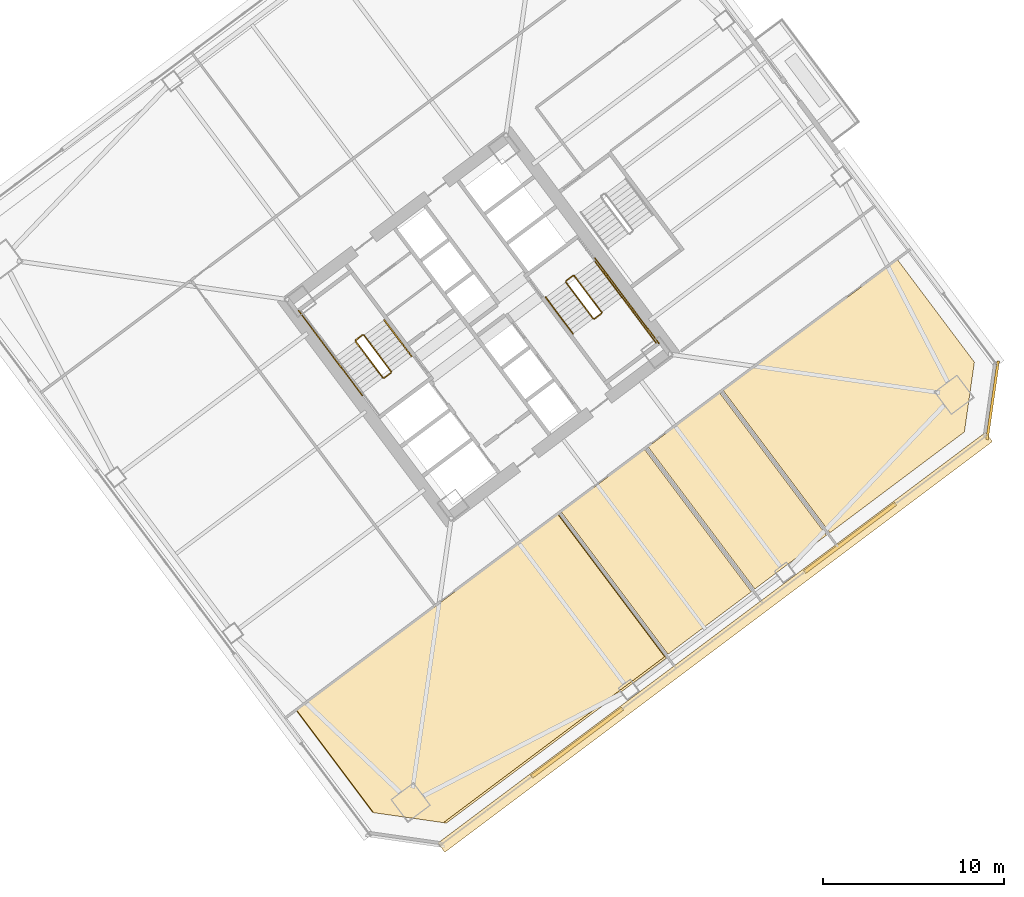
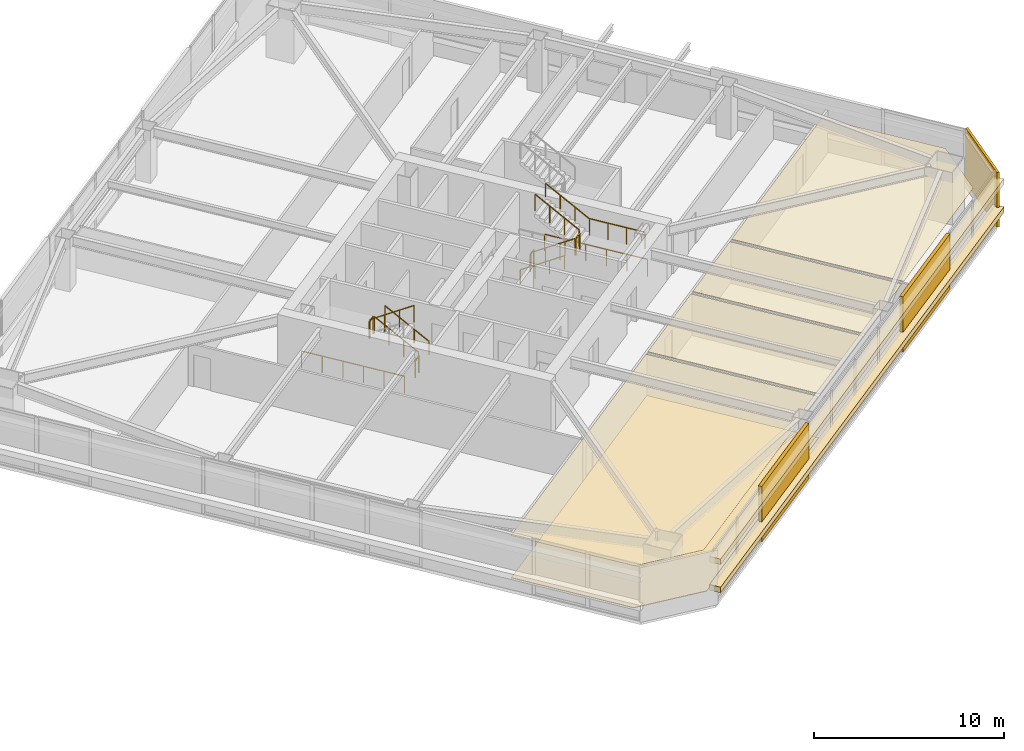
# One storey, part 45 of 47: 14 railings, 10 coverings.
"""IFC4 building model written with IfcOpenShell, lengths in metres."""

import ifcopenshell
import ifcopenshell.guid

model = None  # the IFC model being written
_history = None  # IfcOwnerHistory: only IFC2X3 demands one
_inside = {}  # id of a spatial element -> (the spatial element, [elements in it])
_under = {}  # id of a project, library or spatial element -> (it, [spatial elements below it])
_declared = {}  # id of a project -> (the project, [libraries it declares])
_typed = {}  # id of a type object -> (the type object, [elements of that type])
_made_of = {}  # id of a material, layer set ... -> (it, [elements and type objects made of it])


def new_model(schema):
    """Start an empty IFC model of exactly this schema.

    Asked for "IFC4X3", IfcOpenShell would pick the latest addendum, in which some entities
    have other attributes; the version numbers below select the first issue.
    IFC2X3 requires an IfcOwnerHistory on every rooted entity: one is made here for all.
    """
    global model, _history
    if schema == "IFC4X3":
        model = ifcopenshell.file(schema_version=(4, 3, 0, 0))
    else:
        model = ifcopenshell.file(schema=schema)
    _inside.clear()
    _under.clear()
    _declared.clear()
    _typed.clear()
    _made_of.clear()
    _history = None
    if model.schema == "IFC2X3":
        org = make("IfcOrganization", Name="unknown")
        user = make(
            "IfcPersonAndOrganization",
            ThePerson=make("IfcPerson", FamilyName="unknown"),
            TheOrganization=org,
        )
        app = make(
            "IfcApplication",
            ApplicationDeveloper=org,
            Version="unknown",
            ApplicationFullName="unknown",
            ApplicationIdentifier="unknown",
        )
        _history = make(
            "IfcOwnerHistory",
            OwningUser=user,
            OwningApplication=app,
            ChangeAction="ADDED",
            CreationDate=0,
        )
    return model


def make(cls, **values):
    """One entity of the class cls with the attributes given. An attribute that is None is left unset."""
    return model.create_entity(
        cls, **{name: value for name, value in values.items() if value is not None}
    )


def rooted(cls, **values):
    """An entity with a GlobalId (a new one), such as an element, a storey or a relation."""
    return make(cls, GlobalId=ifcopenshell.guid.new(), OwnerHistory=_history, **values)


def si_unit(unit_type, name, prefix=None):
    """IfcSIUnit, for example si_unit("LENGTHUNIT", "METRE", prefix="MILLI")."""
    return make("IfcSIUnit", UnitType=unit_type, Prefix=prefix, Name=name)


def assignment(units):
    """IfcUnitAssignment: the units of a project."""
    return None if units is None else make("IfcUnitAssignment", Units=units)


def point(xyz):
    """IfcCartesianPoint."""
    return None if xyz is None else make("IfcCartesianPoint", Coordinates=xyz)


def direction(xyz):
    """IfcDirection."""
    return None if xyz is None else make("IfcDirection", DirectionRatios=xyz)


def frame(location, z_axis=None, x_axis=None):
    """IfcAxis2Placement3D, a coordinate frame: its origin and axes. An axis left out is left unset."""
    return make(
        "IfcAxis2Placement3D",
        Location=point(location),
        Axis=direction(z_axis),
        RefDirection=direction(x_axis),
    )


def frame_2d(location, x_axis=None):
    """IfcAxis2Placement2D, a coordinate frame in the plane: its origin and x axis."""
    return make(
        "IfcAxis2Placement2D", Location=point(location), RefDirection=direction(x_axis)
    )


def origin():
    """The frame at (0, 0, 0) with its axes left unset."""
    return frame((0.0, 0.0, 0.0))


def origin_2d():
    """The frame at (0, 0) in the plane with its x axis left unset."""
    return frame_2d((0.0, 0.0))


def place(relative_to, where):
    """IfcLocalPlacement: puts the frame where relative to a parent placement (None: the world)."""
    return make(
        "IfcLocalPlacement", PlacementRelTo=relative_to, RelativePlacement=where
    )


def context(
    kind, dimensions, precision=None, world=None, true_north=None, identifier=None
):
    """IfcGeometricRepresentationContext, for example the 3D "Model" context."""
    return make(
        "IfcGeometricRepresentationContext",
        ContextIdentifier=identifier,
        ContextType=kind,
        CoordinateSpaceDimension=dimensions,
        Precision=precision,
        WorldCoordinateSystem=world,
        TrueNorth=true_north,
    )


def subcontext(parent, identifier, kind, view, scale=None):
    """IfcGeometricRepresentationSubContext, for example "Body" below "Model"."""
    return make(
        "IfcGeometricRepresentationSubContext",
        ContextIdentifier=identifier,
        ContextType=kind,
        ParentContext=parent,
        TargetScale=scale,
        TargetView=view,
    )


def project(units=None, contexts=None):
    """IfcProject with its units and contexts."""
    return rooted(
        "IfcProject",
        Name="project",
        RepresentationContexts=contexts,
        UnitsInContext=assignment(units),
    )


def spatial(cls, under=None, at=None, **own):
    """A site, building, storey or space (cls), placed at a placement, below another one or the project."""
    s = rooted(cls, ObjectPlacement=at, **own)
    if under is not None:
        _under.setdefault(under.id(), (under, []))[1].append(s)
    return s


def polyline(points):
    """IfcPolyline through the points."""
    return make("IfcPolyline", Points=[point(p) for p in points])


def profile(cls, at=None, kind="AREA", **sizes):
    """A parametric profile (cls). Its sizes go by their IFC names, for example OverallWidth=200.0."""
    return make(cls, ProfileType=kind, Position=at, **sizes)


def rectangle(**sizes):
    """IfcRectangleProfileDef."""
    return profile("IfcRectangleProfileDef", **sizes)


def outline(outer, holes=None, kind="AREA"):
    """IfcArbitraryClosedProfileDef: a profile drawn as a closed curve; with holes, ...WithVoids."""
    if holes is None:
        return make("IfcArbitraryClosedProfileDef", ProfileType=kind, OuterCurve=outer)
    return make(
        "IfcArbitraryProfileDefWithVoids",
        ProfileType=kind,
        OuterCurve=outer,
        InnerCurves=holes,
    )


def extrude(swept, where, along, depth):
    """IfcExtrudedAreaSolid: the profile swept, set in the frame where, extruded along a direction by depth."""
    return make(
        "IfcExtrudedAreaSolid",
        SweptArea=swept,
        Position=where,
        ExtrudedDirection=direction(along),
        Depth=depth,
    )


def shape(context_of_items, identifier, shape_type, items):
    """IfcShapeRepresentation: the items that make up one representation, for example the "Body"."""
    return make(
        "IfcShapeRepresentation",
        ContextOfItems=context_of_items,
        RepresentationIdentifier=identifier,
        RepresentationType=shape_type,
        Items=items,
    )


def material(Name=None, Category=None):
    """IfcMaterial."""
    return make("IfcMaterial", Name=Name, Category=Category)


def layer(
    of_material, thickness, ventilated=None, Name=None, Category=None, Priority=None
):
    """IfcMaterialLayer: one layer of a wall or slab, of a material (None: an air gap)."""
    return make(
        "IfcMaterialLayer",
        Material=of_material,
        LayerThickness=thickness,
        IsVentilated=ventilated,
        Name=Name,
        Category=Category,
        Priority=Priority,
    )


def layer_set(layers, Name=None):
    """IfcMaterialLayerSet."""
    return make("IfcMaterialLayerSet", MaterialLayers=layers, LayerSetName=Name)


def made_of(thing, what):
    """Note that an element or type object is made of a material, layer set ...; save() writes the relation."""
    if what is not None:
        _made_of.setdefault(what.id(), (what, []))[1].append(thing)
    return thing


def type_object(cls, material=None, **own):
    """A type object (cls), such as IfcWallType, which elements share."""
    return made_of(rooted(cls, **own), material)


def element(
    cls,
    number,
    at=None,
    inside=None,
    cuts=None,
    type_object=None,
    material=None,
    context=None,
    identifier="Body",
    shape_type=None,
    held_by="IfcProductDefinitionShape",
    body=None,
    shapes=None,
    **own,
):
    """One element of the class cls, such as IfcWall. Its Tag is "e" and its number.

    at: its placement. inside: the storey or other place that contains it. cuts: it is an
    opening in that element (IfcRelVoidsElement). A single representation is given by context,
    identifier, shape_type and body (its items); several are given by shapes. held_by: the class
    of the entity that holds the representations. save() writes the other relations.
    """
    e = rooted(cls, Tag="e%d" % number, ObjectPlacement=at, **own)
    if body is not None:
        shapes = [shape(context, identifier, shape_type, body)]
    if shapes is not None:
        e.Representation = make(held_by, Representations=shapes)
    if inside is not None:
        _inside.setdefault(inside.id(), (inside, []))[1].append(e)
    if cuts is not None:
        rooted(
            "IfcRelVoidsElement", RelatingBuildingElement=cuts, RelatedOpeningElement=e
        )
    if type_object is not None:
        _typed.setdefault(type_object.id(), (type_object, []))[1].append(e)
    return made_of(e, material)


def aggregate(whole, parts):
    """IfcRelAggregates: a whole, such as a stair, and the parts it consists of."""
    return rooted("IfcRelAggregates", RelatingObject=whole, RelatedObjects=parts)


def save(model, path):
    """Write the relations noted so far, then the file.

    IfcRelAggregates (storeys below a building ...), IfcRelContainedInSpatialStructure (elements
    in a storey), IfcRelDefinesByType, IfcRelAssociatesMaterial and IfcRelDeclares: one each for
    every whole, place, type object, material and project.
    """
    for whole, parts in _under.values():
        aggregate(whole, parts)
    for where, things in _inside.values():
        rooted(
            "IfcRelContainedInSpatialStructure",
            RelatedElements=things,
            RelatingStructure=where,
        )
    for kind, things in _typed.values():
        rooted("IfcRelDefinesByType", RelatedObjects=things, RelatingType=kind)
    for what, things in _made_of.values():
        rooted("IfcRelAssociatesMaterial", RelatedObjects=things, RelatingMaterial=what)
    for by, libraries in _declared.values():
        rooted("IfcRelDeclares", RelatingContext=by, RelatedDefinitions=libraries)
    model.write(path)


model = new_model("IFC4")

# Units and contexts
model_context = context("Model", 3, precision=1e-05, world=origin(), true_north=direction((0.0, 1.0)))
body_context = subcontext(model_context, "Body", "Model", "MODEL_VIEW")
ifc_project = project(units=[si_unit("LENGTHUNIT", "METRE"), si_unit("AREAUNIT", "SQUARE_METRE"), si_unit("VOLUMEUNIT", "CUBIC_METRE"), si_unit("PLANEANGLEUNIT", "RADIAN"), si_unit("MASSUNIT", "GRAM", prefix="KILO")], contexts=[model_context])

# Site, building, storey
site_placement = place(None, origin())
site = spatial("IfcSite", under=ifc_project, at=site_placement, CompositionType="ELEMENT")
building_placement = place(site_placement, origin())
building = spatial("IfcBuilding", under=site, at=building_placement, Name="Tashvorn Skyway Center", CompositionType="ELEMENT")
storey_placement = place(building_placement, frame((0.0, 0.0, 42.35009765625)))
storey = spatial("IfcBuildingStorey", under=building, at=storey_placement, Name="L10", CompositionType="ELEMENT", Elevation=42.35009765625)

# Coverings
ifc_material_1 = material(Name="Precast concrete C40/50", Category="concrete")
ifc_layer_1 = layer(ifc_material_1, 0.199951171875)
ifc_layer_set_1 = layer_set([ifc_layer_1], Name="Precast concrete C40/50")
covering_type_1 = type_object("IfcCoveringType", Name="COV-BRACE-CLAD", PredefinedType="CLADDING", material=ifc_layer_set_1)
for number, where, z_axis, x_axis, name in (
    (1, (134.56005859375, 20.320068359375, 0.0), (0.0, 0.0, 1.0), (-0.799999996291, -0.600000004945, 0.0), "Tower 2 L10 South Unitised Curtain Wall Mega-Brace Cladding Band 1"),
    (2, (119.4560546875, 8.991943359375, 0.0), (0.0, 0.0, 1.0), (-0.799999996291, -0.600000004945, 0.0), "Tower 2 L10 South Unitised Curtain Wall Mega-Brace Cladding Band 2"),
):
    element("IfcCovering", number, at=place(storey_placement, frame(where, z_axis=z_axis, x_axis=x_axis)), inside=storey, type_object=covering_type_1, Name=name, PredefinedType="CLADDING", context=body_context, shape_type="SweptSolid", body=[
        extrude(rectangle(XDim=6.293212890625, YDim=0.199951171875, at=origin_2d()), origin(), (0.0, 0.0, 1.0), 3.550048828125),
    ])
ifc_material_2 = material(Name="Mineral-fibre acoustic ceiling tile on suspended grid")
ifc_layer_2 = layer(ifc_material_2, 0.02001953125)
ifc_layer_set_2 = layer_set([ifc_layer_2], Name="Mineral-fibre acoustic ceiling tile on suspended grid")
covering_type_2 = type_object("IfcCoveringType", Name="COV-CEIL-20", PredefinedType="CEILING", material=ifc_layer_set_2)
covering_1_placement = place(storey_placement, frame((0.0, 0.0, 2.682861328125)))
element("IfcCovering", 3, at=covering_1_placement, inside=storey, type_object=covering_type_2, Name="Tower 2 L10 Executive Study Lounge Acoustic Ceiling", PredefinedType="CEILING", context=body_context, shape_type="SweptSolid", body=[
    extrude(outline(polyline([(103.93994140625, 10.780029296875), (118.387939453125, 21.615966796875), (124.2919921875, 13.743896484375), (112.052001953125, 4.56396484375), (108.18798828125, 5.115966796875), (103.93994140625, 10.780029296875)])), origin(), (0.0, 0.0, 1.0), 0.02001953125),
])
covering_2_placement = place(storey_placement, frame((0.0, 0.0, 2.682861328125)))
element("IfcCovering", 4, at=covering_2_placement, inside=storey, type_object=covering_type_2, Name="Tower 2 L10 Collaborative Studio Acoustic Ceiling", PredefinedType="CEILING", context=body_context, shape_type="SweptSolid", body=[
    extrude(outline(polyline([(118.580078125, 21.760009765625), (123.18798828125, 25.216064453125), (129.092041015625, 17.343994140625), (124.48388671875, 13.887939453125), (118.580078125, 21.760009765625)])), origin(), (0.0, 0.0, 1.0), 0.02001953125),
])
covering_3_placement = place(storey_placement, frame((0.0, 0.0, 2.682861328125)))
element("IfcCovering", 5, at=covering_3_placement, inside=storey, type_object=covering_type_2, Name="Tower 2 L10 Collaborative Studio Acoustic Ceiling", PredefinedType="CEILING", context=body_context, shape_type="SweptSolid", body=[
    extrude(outline(polyline([(123.3798828125, 25.360107421875), (127.347900390625, 28.3359375), (133.251953125, 20.464111328125), (129.283935546875, 17.488037109375), (123.3798828125, 25.360107421875)])), origin(), (0.0, 0.0, 1.0), 0.02001953125),
])
covering_4_placement = place(storey_placement, frame((0.0, 0.0, 2.682861328125)))
element("IfcCovering", 6, at=covering_4_placement, inside=storey, type_object=covering_type_2, Name="Tower 2 L10 Reading Lounge Acoustic Ceiling", PredefinedType="CEILING", context=body_context, shape_type="SweptSolid", body=[
    extrude(outline(polyline([(133.444091796875, 20.60791015625), (127.5400390625, 28.47998046875), (137.18798828125, 35.716064453125), (141.43603515625, 30.052001953125), (140.884033203125, 26.18798828125), (133.444091796875, 20.60791015625)])), origin(), (0.0, 0.0, 1.0), 0.02001953125),
])
ifc_material_3 = material(Name="Polished Mojave desert-aggregate terrazzo and cover plate")
ifc_layer_3 = layer(ifc_material_3, 0.0400390625)
ifc_layer_set_3 = layer_set([ifc_layer_3], Name="Polished Mojave desert-aggregate terrazzo and cover plate")
covering_type_3 = type_object("IfcCoveringType", Name="COV-FLR-40", PredefinedType="FLOORING", material=ifc_layer_set_3)
covering_5_placement = place(storey_placement, origin())
element("IfcCovering", 7, at=covering_5_placement, inside=storey, type_object=covering_type_3, Name="Tower 2 L10 Executive Study Lounge Finish Flooring", PredefinedType="FLOORING", context=body_context, shape_type="SweptSolid", body=[
    extrude(outline(polyline([(112.219970703125, 4.5400390625), (108.132080078125, 5.1240234375), (103.931884765625, 10.72412109375), (118.444091796875, 21.60791015625), (124.39599609375, 13.672119140625), (112.219970703125, 4.5400390625)])), origin(), (0.0, 0.0, 1.0), 0.039794921875),
])
ifc_material_4 = material(Name="Perforated ceramic-coated bronze aluminium solar screen", Category="aluminium")
ifc_layer_4 = layer(ifc_material_4, 0.85009765625)
ifc_layer_set_4 = layer_set([ifc_layer_4], Name="Perforated ceramic-coated bronze aluminium solar screen")
covering_type_4 = type_object("IfcCoveringType", Name="COV-SOLAR-BAND", PredefinedType="CLADDING", material=ifc_layer_set_4)
for number, where, z_axis, x_axis, name in (
    (8, (127.092041015625, 14.5439453125, 0.919921875), (0.0, 0.0, 1.0), (-0.799999996291, -0.600000004945, 0.0), "L10 Perforated Ceramic-Metal Solar Screen Louvre Band South 1"),
    (9, (127.092041015625, 14.5439453125, 2.7197265625), (0.0, 0.0, 1.0), (-0.799999996291, -0.600000004945, 0.0), "L10 Perforated Ceramic-Metal Solar Screen Louvre Band South 2"),
):
    element("IfcCovering", number, at=place(storey_placement, frame(where, z_axis=z_axis, x_axis=x_axis)), inside=storey, type_object=covering_type_4, Name=name, PredefinedType="CLADDING", context=body_context, shape_type="SweptSolid", body=[
        extrude(rectangle(XDim=37.8798828125, YDim=0.639892578125, at=origin_2d()), origin(), (0.0, 0.0, 1.0), 0.360107421875),
    ])
ifc_layer_5 = layer(ifc_material_1, 0.35009765625)
ifc_layer_set_5 = layer_set([ifc_layer_5], Name="Precast concrete C40/50")
covering_type_5 = type_object("IfcCoveringType", Name="COV-STONE-TRIM", PredefinedType="CLADDING", material=ifc_layer_set_5)
covering_6_placement = place(storey_placement, frame((142.447998046875, 27.93603515625, 0.02001953125), z_axis=(0.0, 0.0, 1.0), x_axis=(0.141421350118, 0.989949494535, 0.0)))
element("IfcCovering", 10, at=covering_6_placement, inside=storey, type_object=covering_type_5, Name="Tower 2 L10 SE Mojave Limestone Corner Quoin", PredefinedType="CLADDING", context=body_context, shape_type="SweptSolid", body=[
    extrude(rectangle(XDim=4.402587890625, YDim=0.139892578125, at=origin_2d()), origin(), (0.0, 0.0, 1.0), 3.510009765625),
])

# Railings
ifc_material_5 = material(Name="Brushed stainless steel 316", Category="steel")
railing_type_1 = type_object("IfcRailingType", Name="RAIL-HAND-920", PredefinedType="HANDRAIL", material=ifc_material_5)
railing_1_placement = place(storey_placement, frame((110.2880859375, 30.365966796875, 0.177490234375)))
element("IfcRailing", 11, at=railing_1_placement, inside=storey, type_object=railing_type_1, Name="L10 ST-T2-1 stair handrail 1", PredefinedType="HANDRAIL", context=body_context, shape_type="SweptSolid", body=[
    extrude(rectangle(XDim=0.048095703125, YDim=0.048095703125, at=origin_2d()), frame((0.0, 0.0, 0.8759765625), z_axis=(-0.506801609611, 0.675680931896, 0.535357270211), x_axis=(-0.799976749893, -0.600030998891, 0.0)), (0.0, 0.0, 1.0), 2.98388671875),
    extrude(rectangle(XDim=0.0419921875, YDim=0.0419921875, at=origin_2d()), origin(), (0.0, 0.0, 1.0), 0.851806640625),
    extrude(rectangle(XDim=0.0419921875, YDim=0.0419921875, at=origin_2d()), frame((-0.504150390625, 0.672119140625, 0.532470703125)), (0.0, 0.0, 1.0), 0.851806640625),
    extrude(rectangle(XDim=0.0419921875, YDim=0.0419921875, at=origin_2d()), frame((-1.008056640625, 1.343994140625, 1.06494140625)), (0.0, 0.0, 1.0), 0.851806640625),
    extrude(rectangle(XDim=0.0419921875, YDim=0.0419921875, at=origin_2d()), frame((-1.51220703125, 2.01611328125, 1.597412109375)), (0.0, 0.0, 1.0), 0.851806640625),
])
railing_2_placement = place(storey_placement, frame((117.7119140625, 33.634033203125, 0.177490234375)))
element("IfcRailing", 12, at=railing_2_placement, inside=storey, type_object=railing_type_1, Name="L10 ST-T2-2 stair handrail 1", PredefinedType="HANDRAIL", context=body_context, shape_type="SweptSolid", body=[
    extrude(rectangle(XDim=0.048095703125, YDim=0.048095703125, at=origin_2d()), frame((0.0, 0.0, 0.8759765625), z_axis=(0.506801609611, -0.675680931896, 0.535357270211), x_axis=(0.799976749893, 0.600030998891, 0.0)), (0.0, 0.0, 1.0), 2.98388671875),
    extrude(rectangle(XDim=0.0419921875, YDim=0.0419921875, at=origin_2d()), origin(), (0.0, 0.0, 1.0), 0.851806640625),
    extrude(rectangle(XDim=0.0419921875, YDim=0.0419921875, at=origin_2d()), frame((0.504150390625, -0.672119140625, 0.532470703125)), (0.0, 0.0, 1.0), 0.851806640625),
    extrude(rectangle(XDim=0.0419921875, YDim=0.0419921875, at=origin_2d()), frame((1.008056640625, -1.343994140625, 1.06494140625)), (0.0, 0.0, 1.0), 0.851806640625),
    extrude(rectangle(XDim=0.0419921875, YDim=0.0419921875, at=origin_2d()), frame((1.51220703125, -2.01611328125, 1.597412109375)), (0.0, 0.0, 1.0), 0.851806640625),
])
railing_3_placement = place(storey_placement, frame((121.927978515625, 33.64599609375, 1.952392578125)))
element("IfcRailing", 13, at=railing_3_placement, inside=storey, type_object=railing_type_1, Name="L10 ST-T2-2 stair handrail 2", PredefinedType="HANDRAIL", context=body_context, shape_type="SweptSolid", body=[
    extrude(rectangle(XDim=0.048095703125, YDim=0.048095703125, at=origin_2d()), frame((0.0, 0.0, 0.8759765625), z_axis=(-0.506740800098, 0.675708949977, 0.535379469569), x_axis=(-0.800023250257, -0.599968998406, 0.0)), (0.0, 0.0, 1.0), 2.983642578125),
    extrude(rectangle(XDim=0.0419921875, YDim=0.0419921875, at=origin_2d()), origin(), (0.0, 0.0, 1.0), 0.851806640625),
    extrude(rectangle(XDim=0.0419921875, YDim=0.0419921875, at=origin_2d()), frame((-0.50390625, 0.672119140625, 0.532470703125)), (0.0, 0.0, 1.0), 0.851806640625),
    extrude(rectangle(XDim=0.0419921875, YDim=0.0419921875, at=origin_2d()), frame((-1.008056640625, 1.343994140625, 1.06494140625)), (0.0, 0.0, 1.0), 0.851806640625),
    extrude(rectangle(XDim=0.0419921875, YDim=0.0419921875, at=origin_2d()), frame((-1.511962890625, 2.01611328125, 1.597412109375)), (0.0, 0.0, 1.0), 0.851806640625),
])
ifc_material_6 = material(Name="Painted galvanized steel S355", Category="steel")
railing_type_2 = type_object("IfcRailingType", Name="RAIL-STGUARD-1100", PredefinedType="GUARDRAIL", material=ifc_material_6)
railing_4_placement = place(storey_placement, frame((109.16796875, 29.52587890625, 0.177490234375)))
element("IfcRailing", 14, at=railing_4_placement, inside=storey, type_object=railing_type_2, Name="L10 ST-T2-1 stair guard 1", PredefinedType="GUARDRAIL", context=body_context, shape_type="SweptSolid", body=[
    extrude(rectangle(XDim=0.048095703125, YDim=0.048095703125, at=origin_2d()), frame((0.0, 0.0, 1.076171875), z_axis=(-0.506740800098, 0.675708949977, 0.535379469569), x_axis=(-0.800023250257, -0.599968998406, 0.0)), (0.0, 0.0, 1.0), 2.983642578125),
    extrude(rectangle(XDim=0.0419921875, YDim=0.0419921875, at=origin_2d()), origin(), (0.0, 0.0, 1.0), 1.052001953125),
    extrude(rectangle(XDim=0.0419921875, YDim=0.0419921875, at=origin_2d()), frame((-0.50390625, 0.672119140625, 0.532470703125)), (0.0, 0.0, 1.0), 1.052001953125),
    extrude(rectangle(XDim=0.0419921875, YDim=0.0419921875, at=origin_2d()), frame((-1.008056640625, 1.343994140625, 1.06494140625)), (0.0, 0.0, 1.0), 1.052001953125),
    extrude(rectangle(XDim=0.0419921875, YDim=0.0419921875, at=origin_2d()), frame((-1.511962890625, 2.01611328125, 1.597412109375)), (0.0, 0.0, 1.0), 1.052001953125),
])
railing_5_placement = place(storey_placement, frame((107.5859375, 31.552001953125, 1.77490234375)))
element("IfcRailing", 15, at=railing_5_placement, inside=storey, type_object=railing_type_2, Name="L10 ST-T2-1 stair guard 2", PredefinedType="GUARDRAIL", context=body_context, shape_type="SweptSolid", body=[
    extrude(rectangle(XDim=0.048095703125, YDim=0.048095703125, at=origin_2d()), frame((0.0, 0.0, 1.076171875), z_axis=(-0.799938970639, -0.600081363861, 0.0), x_axis=(0.600081363861, -0.799938970639, 0.0)), (0.0, 0.0, 1.0), 0.47998046875),
    extrude(rectangle(XDim=0.0419921875, YDim=0.0419921875, at=origin_2d()), origin(), (0.0, 0.0, 1.0), 1.052001953125),
    extrude(rectangle(XDim=0.0419921875, YDim=0.0419921875, at=origin_2d()), frame((-0.384033203125, -0.2880859375, 0.0)), (0.0, 0.0, 1.0), 1.052001953125),
])
railing_6_placement = place(storey_placement, frame((107.19189453125, 31.194091796875, 1.952392578125)))
element("IfcRailing", 16, at=railing_6_placement, inside=storey, type_object=railing_type_2, Name="L10 ST-T2-1 stair guard 4", PredefinedType="GUARDRAIL", context=body_context, shape_type="SweptSolid", body=[
    extrude(rectangle(XDim=0.048095703125, YDim=0.048095703125, at=origin_2d()), frame((0.0, 0.0, 1.076171875), z_axis=(0.506801609611, -0.675680931896, 0.535357270211), x_axis=(0.799976749893, 0.600030998891, 0.0)), (0.0, 0.0, 1.0), 2.98388671875),
    extrude(rectangle(XDim=0.0419921875, YDim=0.0419921875, at=origin_2d()), origin(), (0.0, 0.0, 1.0), 1.052001953125),
    extrude(rectangle(XDim=0.0419921875, YDim=0.0419921875, at=origin_2d()), frame((0.504150390625, -0.672119140625, 0.532470703125)), (0.0, 0.0, 1.0), 1.052001953125),
    extrude(rectangle(XDim=0.0419921875, YDim=0.0419921875, at=origin_2d()), frame((1.008056640625, -1.343994140625, 1.06494140625)), (0.0, 0.0, 1.0), 1.052001953125),
    extrude(rectangle(XDim=0.0419921875, YDim=0.0419921875, at=origin_2d()), frame((1.51220703125, -2.01611328125, 1.597412109375)), (0.0, 0.0, 1.0), 1.052001953125),
])
railing_7_placement = place(storey_placement, frame((109.157958984375, 29.4560546875, 0.0)))
element("IfcRailing", 17, at=railing_7_placement, inside=storey, type_object=railing_type_2, Name="L10 ST-T2-1 stair guard 5", PredefinedType="GUARDRAIL", context=body_context, shape_type="SweptSolid", body=[
    extrude(rectangle(XDim=0.048095703125, YDim=0.048095703125, at=origin_2d()), frame((0.0, 0.0, 1.076171875), z_axis=(-0.799938970639, -0.600081363861, 0.0), x_axis=(0.600081363861, -0.799938970639, 0.0)), (0.0, 0.0, 1.0), 0.47998046875),
    extrude(rectangle(XDim=0.0419921875, YDim=0.0419921875, at=origin_2d()), origin(), (0.0, 0.0, 1.0), 1.052001953125),
    extrude(rectangle(XDim=0.0419921875, YDim=0.0419921875, at=origin_2d()), frame((-0.384033203125, -0.2880859375, 0.0)), (0.0, 0.0, 1.0), 1.052001953125),
])
railing_8_placement = place(storey_placement, frame((107.56396484375, 28.197998046875, 0.0)))
element("IfcRailing", 18, at=railing_8_placement, inside=storey, type_object=railing_type_2, Name="L10 ST-T2-1 stair guard 7", PredefinedType="GUARDRAIL", context=body_context, shape_type="SweptSolid", body=[
    extrude(rectangle(XDim=0.048095703125, YDim=0.048095703125, at=origin_2d()), frame((0.0, 0.0, 1.076171875), z_axis=(-0.6, 0.8, 0.0), x_axis=(-0.8, -0.6, 0.0)), (0.0, 0.0, 1.0), 5.880126953125),
    extrude(rectangle(XDim=0.0419921875, YDim=0.0419921875, at=origin_2d()), origin(), (0.0, 0.0, 1.0), 1.052001953125),
    extrude(rectangle(XDim=0.0419921875, YDim=0.0419921875, at=origin_2d()), frame((-0.70556640625, 0.94091796875, 0.0)), (0.0, 0.0, 1.0), 1.052001953125),
    extrude(rectangle(XDim=0.0419921875, YDim=0.0419921875, at=origin_2d()), frame((-1.4111328125, 1.881591796875, 0.0)), (0.0, 0.0, 1.0), 1.052001953125),
    extrude(rectangle(XDim=0.0419921875, YDim=0.0419921875, at=origin_2d()), frame((-2.116943359375, 2.822509765625, 0.0)), (0.0, 0.0, 1.0), 1.052001953125),
    extrude(rectangle(XDim=0.0419921875, YDim=0.0419921875, at=origin_2d()), frame((-2.822509765625, 3.76318359375, 0.0)), (0.0, 0.0, 1.0), 1.052001953125),
    extrude(rectangle(XDim=0.0419921875, YDim=0.0419921875, at=origin_2d()), frame((-3.528076171875, 4.7041015625, 0.0)), (0.0, 0.0, 1.0), 1.052001953125),
])
railing_9_placement = place(storey_placement, frame((118.83203125, 34.47412109375, 0.177490234375)))
element("IfcRailing", 19, at=railing_9_placement, inside=storey, type_object=railing_type_2, Name="L10 ST-T2-2 stair guard 1", PredefinedType="GUARDRAIL", context=body_context, shape_type="SweptSolid", body=[
    extrude(rectangle(XDim=0.048095703125, YDim=0.048095703125, at=origin_2d()), frame((0.0, 0.0, 1.076171875), z_axis=(0.506740800098, -0.675708949977, 0.535379469569), x_axis=(0.800023250257, 0.599968998406, 0.0)), (0.0, 0.0, 1.0), 2.983642578125),
    extrude(rectangle(XDim=0.0419921875, YDim=0.0419921875, at=origin_2d()), origin(), (0.0, 0.0, 1.0), 1.052001953125),
    extrude(rectangle(XDim=0.0419921875, YDim=0.0419921875, at=origin_2d()), frame((0.50390625, -0.672119140625, 0.532470703125)), (0.0, 0.0, 1.0), 1.052001953125),
    extrude(rectangle(XDim=0.0419921875, YDim=0.0419921875, at=origin_2d()), frame((1.008056640625, -1.343994140625, 1.06494140625)), (0.0, 0.0, 1.0), 1.052001953125),
    extrude(rectangle(XDim=0.0419921875, YDim=0.0419921875, at=origin_2d()), frame((1.511962890625, -2.01611328125, 1.597412109375)), (0.0, 0.0, 1.0), 1.052001953125),
])
railing_10_placement = place(storey_placement, frame((120.4140625, 32.447998046875, 1.77490234375)))
element("IfcRailing", 20, at=railing_10_placement, inside=storey, type_object=railing_type_2, Name="L10 ST-T2-2 stair guard 2", PredefinedType="GUARDRAIL", context=body_context, shape_type="SweptSolid", body=[
    extrude(rectangle(XDim=0.048095703125, YDim=0.048095703125, at=origin_2d()), frame((0.0, 0.0, 1.076171875), z_axis=(0.799938970639, 0.600081363861, 0.0), x_axis=(-0.600081363861, 0.799938970639, 0.0)), (0.0, 0.0, 1.0), 0.47998046875),
    extrude(rectangle(XDim=0.0419921875, YDim=0.0419921875, at=origin_2d()), origin(), (0.0, 0.0, 1.0), 1.052001953125),
    extrude(rectangle(XDim=0.0419921875, YDim=0.0419921875, at=origin_2d()), frame((0.384033203125, 0.2880859375, 0.0)), (0.0, 0.0, 1.0), 1.052001953125),
])
railing_11_placement = place(storey_placement, frame((121.927978515625, 33.64599609375, 1.77490234375)))
element("IfcRailing", 21, at=railing_11_placement, inside=storey, type_object=railing_type_2, Name="L10 ST-T2-2 stair guard 3", PredefinedType="GUARDRAIL", context=body_context, shape_type="SweptSolid", body=[
    extrude(rectangle(XDim=0.048095703125, YDim=0.048095703125, at=origin_2d()), frame((0.0, 0.0, 1.076171875), z_axis=(0.599987638607, -0.800009270896, 0.0), x_axis=(0.800009270896, 0.599987638607, 0.0)), (0.0, 0.0, 1.0), 3.16015625),
    extrude(rectangle(XDim=0.0419921875, YDim=0.0419921875, at=origin_2d()), origin(), (0.0, 0.0, 1.0), 1.052001953125),
    extrude(rectangle(XDim=0.0419921875, YDim=0.0419921875, at=origin_2d()), frame((0.632080078125, -0.8427734375, 0.0)), (0.0, 0.0, 1.0), 1.052001953125),
    extrude(rectangle(XDim=0.0419921875, YDim=0.0419921875, at=origin_2d()), frame((1.263916015625, -1.685302734375, 0.0)), (0.0, 0.0, 1.0), 1.052001953125),
    extrude(rectangle(XDim=0.0419921875, YDim=0.0419921875, at=origin_2d()), frame((1.89599609375, -2.528076171875, 0.0)), (0.0, 0.0, 1.0), 1.052001953125),
])
railing_12_placement = place(storey_placement, frame((120.80810546875, 32.805908203125, 1.952392578125)))
element("IfcRailing", 22, at=railing_12_placement, inside=storey, type_object=railing_type_2, Name="L10 ST-T2-2 stair guard 4", PredefinedType="GUARDRAIL", context=body_context, shape_type="SweptSolid", body=[
    extrude(rectangle(XDim=0.048095703125, YDim=0.048095703125, at=origin_2d()), frame((0.0, 0.0, 1.076171875), z_axis=(-0.506801609611, 0.675680931896, 0.535357270211), x_axis=(-0.799976749893, -0.600030998891, 0.0)), (0.0, 0.0, 1.0), 2.98388671875),
    extrude(rectangle(XDim=0.0419921875, YDim=0.0419921875, at=origin_2d()), origin(), (0.0, 0.0, 1.0), 1.052001953125),
    extrude(rectangle(XDim=0.0419921875, YDim=0.0419921875, at=origin_2d()), frame((-0.504150390625, 0.672119140625, 0.532470703125)), (0.0, 0.0, 1.0), 1.052001953125),
    extrude(rectangle(XDim=0.0419921875, YDim=0.0419921875, at=origin_2d()), frame((-1.008056640625, 1.343994140625, 1.06494140625)), (0.0, 0.0, 1.0), 1.052001953125),
    extrude(rectangle(XDim=0.0419921875, YDim=0.0419921875, at=origin_2d()), frame((-1.51220703125, 2.01611328125, 1.597412109375)), (0.0, 0.0, 1.0), 1.052001953125),
])
railing_13_placement = place(storey_placement, frame((118.842041015625, 34.5439453125, 0.0)))
element("IfcRailing", 23, at=railing_13_placement, inside=storey, type_object=railing_type_2, Name="L10 ST-T2-2 stair guard 5", PredefinedType="GUARDRAIL", context=body_context, shape_type="SweptSolid", body=[
    extrude(rectangle(XDim=0.048095703125, YDim=0.048095703125, at=origin_2d()), frame((0.0, 0.0, 1.076171875), z_axis=(0.799938970639, 0.600081363861, 0.0), x_axis=(-0.600081363861, 0.799938970639, 0.0)), (0.0, 0.0, 1.0), 0.47998046875),
    extrude(rectangle(XDim=0.0419921875, YDim=0.0419921875, at=origin_2d()), origin(), (0.0, 0.0, 1.0), 1.052001953125),
    extrude(rectangle(XDim=0.0419921875, YDim=0.0419921875, at=origin_2d()), frame((0.384033203125, 0.2880859375, 0.0)), (0.0, 0.0, 1.0), 1.052001953125),
])
railing_14_placement = place(storey_placement, frame((120.43603515625, 35.802001953125, 0.0)))
element("IfcRailing", 24, at=railing_14_placement, inside=storey, type_object=railing_type_2, Name="L10 ST-T2-2 stair guard 7", PredefinedType="GUARDRAIL", context=body_context, shape_type="SweptSolid", body=[
    extrude(rectangle(XDim=0.048095703125, YDim=0.048095703125, at=origin_2d()), frame((0.0, 0.0, 1.076171875), z_axis=(0.6, -0.8, 0.0), x_axis=(0.8, 0.6, 0.0)), (0.0, 0.0, 1.0), 5.880126953125),
    extrude(rectangle(XDim=0.0419921875, YDim=0.0419921875, at=origin_2d()), origin(), (0.0, 0.0, 1.0), 1.052001953125),
    extrude(rectangle(XDim=0.0419921875, YDim=0.0419921875, at=origin_2d()), frame((0.70556640625, -0.94091796875, 0.0)), (0.0, 0.0, 1.0), 1.052001953125),
    extrude(rectangle(XDim=0.0419921875, YDim=0.0419921875, at=origin_2d()), frame((1.4111328125, -1.881591796875, 0.0)), (0.0, 0.0, 1.0), 1.052001953125),
    extrude(rectangle(XDim=0.0419921875, YDim=0.0419921875, at=origin_2d()), frame((2.116943359375, -2.822509765625, 0.0)), (0.0, 0.0, 1.0), 1.052001953125),
    extrude(rectangle(XDim=0.0419921875, YDim=0.0419921875, at=origin_2d()), frame((2.822509765625, -3.76318359375, 0.0)), (0.0, 0.0, 1.0), 1.052001953125),
    extrude(rectangle(XDim=0.0419921875, YDim=0.0419921875, at=origin_2d()), frame((3.528076171875, -4.7041015625, 0.0)), (0.0, 0.0, 1.0), 1.052001953125),
])

save(model, "model.ifc")
